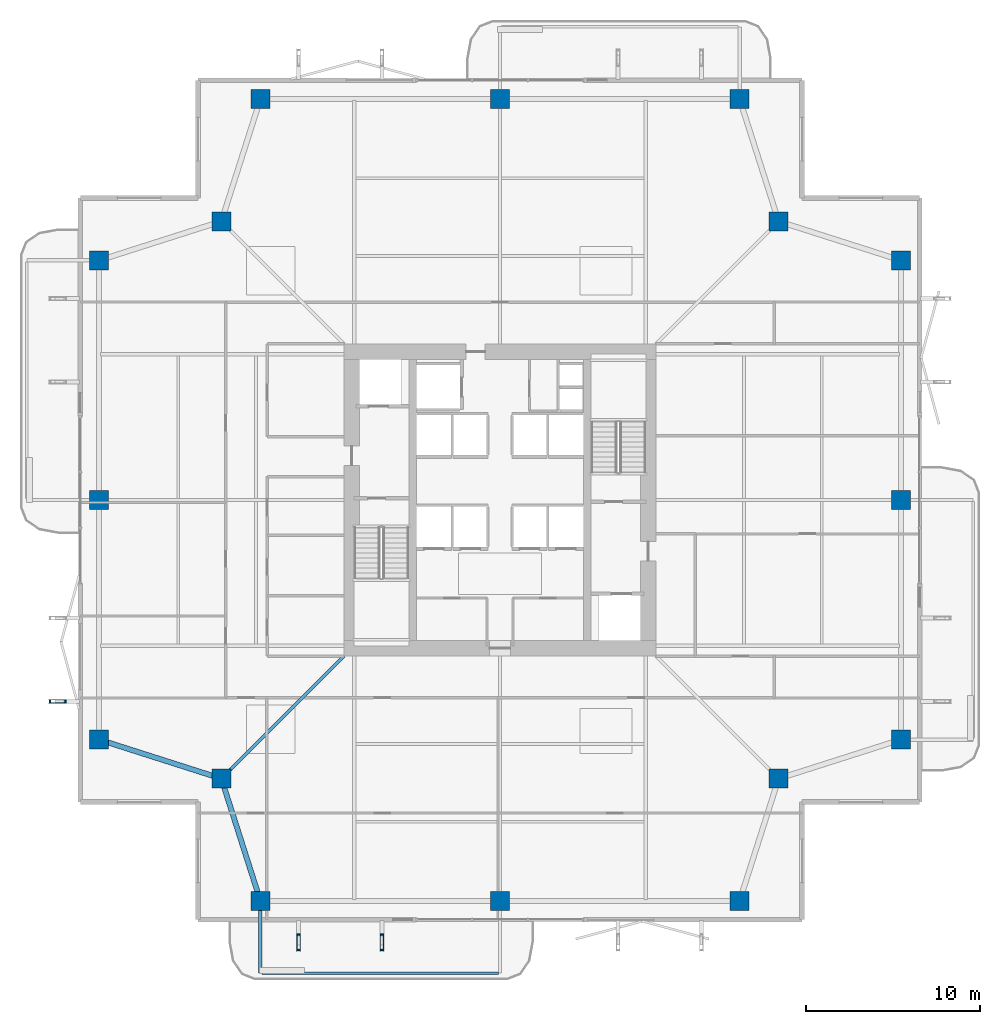
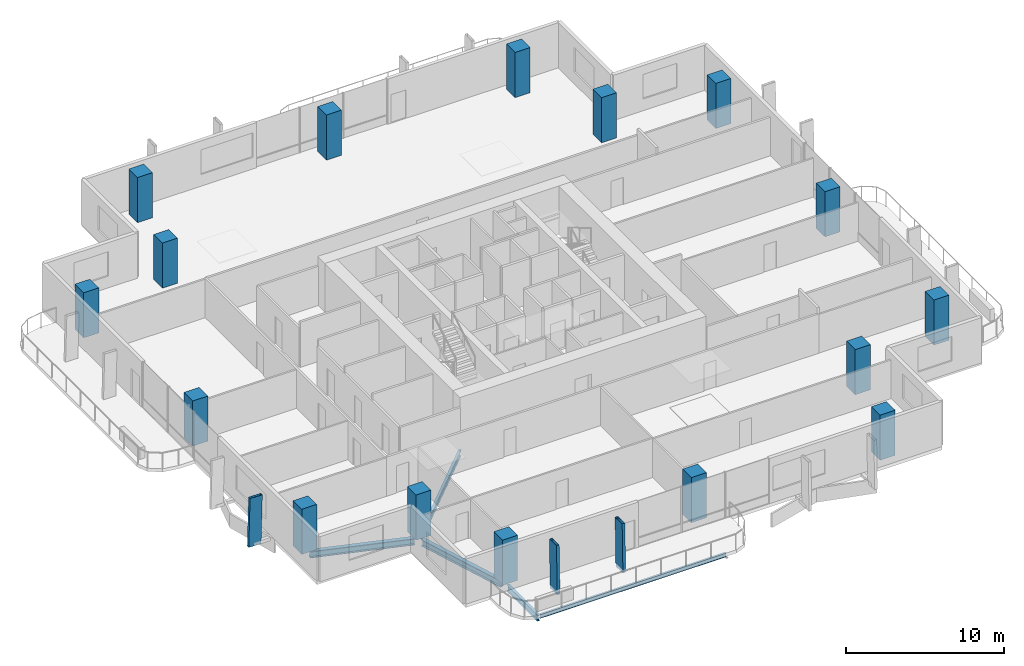
# One storey, part 1 of 25: 16 columns, 5 beams, 3 members.
"""IFC4 building model written with IfcOpenShell, lengths in metres."""

from ifc_helpers import new_model, si_unit, direction, frame, origin, origin_2d, place, context, subcontext, project, spatial, rectangle, hollow_rectangle, i_section, extrude, material, material_profile, profile_set, type_object, element, save


model = new_model("IFC4")

# Units and contexts
model_context = context("Model", 3, precision=1e-05, world=origin(), true_north=direction((0.0, 1.0)))
body_context = subcontext(model_context, "Body", "Model", "MODEL_VIEW")
ifc_project = project(units=[si_unit("LENGTHUNIT", "METRE"), si_unit("AREAUNIT", "SQUARE_METRE"), si_unit("VOLUMEUNIT", "CUBIC_METRE"), si_unit("PLANEANGLEUNIT", "RADIAN"), si_unit("MASSUNIT", "GRAM", prefix="KILO")], contexts=[model_context])

# Site, building, storey
site_placement = place(None, origin())
site = spatial("IfcSite", under=ifc_project, at=site_placement, CompositionType="ELEMENT")
building_placement = place(site_placement, origin())
building = spatial("IfcBuilding", under=site, at=building_placement, Name="Belovzor Exchange Tower", CompositionType="ELEMENT")
storey_placement = place(building_placement, frame((0.0, 0.0, 160.800048828125)))
storey = spatial("IfcBuildingStorey", under=building, at=storey_placement, Name="L39", CompositionType="ELEMENT", Elevation=160.800048828125)

# Columns
ifc_material_1 = material(Name="Concrete C50/60", Category="concrete")
ifc_material_profile_1 = material_profile(ifc_material_1, rectangle(XDim=1.10009765625, YDim=1.10009765625, at=origin_2d()))
ifc_profile_set_1 = profile_set([ifc_material_profile_1], Name="Concrete C50/60")
column_type = type_object("IfcColumnType", Name="Reinforced Concrete Tower Column 1100x1100", PredefinedType="COLUMN", material=ifc_profile_set_1)
for number, where, z_axis, x_axis, name in (
    (1, (15.0, 5.699951171875, 0.0029296875), (0.0, 0.0, 1.0), (1.0, 0.0, 0.0), "COL-T110 Reinforced Concrete Tower Column 1100x1100"),
    (2, (28.800048828125, 5.699951171875, 0.0029296875), (0.0, 0.0, 1.0), (1.0, 0.0, 0.0), "COL-T110 Reinforced Concrete Tower Column 1100x1100"),
    (3, (42.60009765625, 5.699951171875, 0.0029296875), (0.0, 0.0, 1.0), (1.0, 0.0, 0.0), "COL-T110 Reinforced Concrete Tower Column 1100x1100"),
    (4, (51.89990234375, 15.0, 0.0029296875), (0.0, 0.0, 1.0), (1.0, 0.0, 0.0), "COL-T110 Reinforced Concrete Tower Column 1100x1100"),
    (5, (51.89990234375, 28.800048828125, 0.0029296875), (0.0, 0.0, 1.0), (1.0, 0.0, 0.0), "COL-T110 Reinforced Concrete Tower Column 1100x1100"),
    (6, (51.89990234375, 42.60009765625, 0.0029296875), (0.0, 0.0, 1.0), (1.0, 0.0, 0.0), "COL-T110 Reinforced Concrete Tower Column 1100x1100"),
    (7, (42.60009765625, 51.89990234375, 0.0029296875), (0.0, 0.0, 1.0), (1.0, 0.0, 0.0), "COL-T110 Reinforced Concrete Tower Column 1100x1100"),
    (8, (28.800048828125, 51.89990234375, 0.0029296875), (0.0, 0.0, 1.0), (1.0, 0.0, 0.0), "COL-T110 Reinforced Concrete Tower Column 1100x1100"),
    (9, (15.0, 51.89990234375, 0.0029296875), (0.0, 0.0, 1.0), (1.0, 0.0, 0.0), "COL-T110 Reinforced Concrete Tower Column 1100x1100"),
    (10, (5.699951171875, 42.60009765625, 0.0029296875), (0.0, 0.0, 1.0), (1.0, 0.0, 0.0), "COL-T110 Reinforced Concrete Tower Column 1100x1100"),
    (11, (5.699951171875, 28.800048828125, 0.0029296875), (0.0, 0.0, 1.0), (1.0, 0.0, 0.0), "COL-T110 Reinforced Concrete Tower Column 1100x1100"),
    (12, (5.699951171875, 15.0, 0.0029296875), (0.0, 0.0, 1.0), (1.0, 0.0, 0.0), "COL-T110 Reinforced Concrete Tower Column 1100x1100"),
    (13, (12.75, 12.75, 0.0029296875), (0.0, 0.0, 1.0), (1.0, 0.0, 0.0), "COL-T110 Reinforced Concrete Tower Column 1100x1100"),
    (14, (44.85009765625, 12.75, 0.0029296875), (0.0, 0.0, 1.0), (1.0, 0.0, 0.0), "COL-T110 Reinforced Concrete Tower Column 1100x1100"),
    (15, (44.85009765625, 44.85009765625, 0.0029296875), (0.0, 0.0, 1.0), (1.0, 0.0, 0.0), "COL-T110 Reinforced Concrete Tower Column 1100x1100"),
    (16, (12.75, 44.85009765625, 0.0029296875), (0.0, 0.0, 1.0), (1.0, 0.0, 0.0), "COL-T110 Reinforced Concrete Tower Column 1100x1100"),
):
    element("IfcColumn", number, at=place(storey_placement, frame(where, z_axis=z_axis, x_axis=x_axis)), inside=storey, type_object=column_type, Name=name, PredefinedType="COLUMN", context=body_context, shape_type="SweptSolid", body=[
        extrude(rectangle(XDim=1.10009765625, YDim=1.10009765625, at=origin_2d()), origin(), (0.0, 0.0, 1.0), 3.489013671875),
    ])

# Beams
ifc_material_2 = material(Name="Steel S355", Category="steel")
ifc_material_profile_2 = material_profile(ifc_material_2, i_section(OverallWidth=0.199951171875, OverallDepth=0.5, WebThickness=0.01025390625, FlangeThickness=0.01611328125, at=origin_2d()))
ifc_profile_set_2 = profile_set([ifc_material_profile_2], Name="Steel S355")
beam_type_1 = type_object("IfcBeamType", Name="Planted Balcony Cantilever Beam IPE 500", PredefinedType="BEAM", material=ifc_profile_set_2)
beam_1_placement = place(storey_placement, frame((15.0, 5.39697265625, -0.505126953125), z_axis=(0.0, -1.0, 0.0), x_axis=(1.0, 0.0, 0.0)))
element("IfcBeam", 17, at=beam_1_placement, inside=storey, type_object=beam_type_1, Name="BC-500 Planted Balcony Cantilever Beam IPE 500", PredefinedType="BEAM", context=body_context, shape_type="SweptSolid", body=[
    extrude(i_section(OverallWidth=0.199951171875, OverallDepth=0.5, WebThickness=0.01025390625, FlangeThickness=0.01611328125, at=origin_2d()), origin(), (0.0, 0.0, 1.0), 3.849853515625),
])
ifc_material_3 = material(Name="Steel S355", Category="steel")
ifc_material_profile_3 = material_profile(ifc_material_3, i_section(OverallWidth=0.14990234375, OverallDepth=0.300048828125, WebThickness=0.007080078125, FlangeThickness=0.0107421875, at=origin_2d()))
ifc_profile_set_3 = profile_set([ifc_material_profile_3], Name="Steel S355")
beam_type_2 = type_object("IfcBeamType", Name="Planted Balcony Fascia Edge Beam IPE 300", PredefinedType="BEAM", material=ifc_profile_set_3)
beam_2_placement = place(storey_placement, frame((15.10009765625, 1.547119140625, -0.405029296875), z_axis=(1.0, 0.0, 0.0), x_axis=(0.0, 1.0, 0.0)))
element("IfcBeam", 18, at=beam_2_placement, inside=storey, type_object=beam_type_2, Name="BC-300 Planted Balcony Fascia Edge Beam IPE 300", PredefinedType="BEAM", context=body_context, shape_type="SweptSolid", body=[
    extrude(i_section(OverallWidth=0.14990234375, OverallDepth=0.300048828125, WebThickness=0.007080078125, FlangeThickness=0.0107421875, at=origin_2d()), origin(), (0.0, 0.0, 1.0), 13.599853515625),
])

# Members
ifc_material_4 = material(Name="Extruded Architectural Terracotta on Steel S355 Carrier", Category="masonry")
ifc_material_profile_4 = material_profile(ifc_material_4, hollow_rectangle(XDim=0.199951171875, YDim=0.89990234375, WallThickness=0.011962890625, at=origin_2d()))
ifc_profile_set_4 = profile_set([ifc_material_profile_4], Name="Extruded Architectural Terracotta on Steel S355 Carrier")
member_type = type_object("IfcMemberType", Name="Sweeping Terracotta Baguette Fin Assembly 1250", PredefinedType="USERDEFINED", material=ifc_profile_set_4)
for number, where, z_axis, x_axis, name in (
    (19, (17.199951171875, 3.259033203125, -0.255126953125), (0.0, 0.025057234181, 0.999686018215), (-1.0, 0.0, 0.0), "FIN-TC125 Terracotta Facade Fin L39 S1"),
    (20, (3.259033203125, 17.199951171875, -0.255126953125), (0.025057234181, 0.0, 0.999686018215), (0.0, 1.0, 0.0), "FIN-TC125 Terracotta Facade Fin L39 W1"),
    (21, (22.0, 3.259033203125, -0.255126953125), (0.0, 0.025057234181, 0.999686018215), (-1.0, 0.0, 0.0), "FIN-TC125 Terracotta Facade Fin L39 S2"),
):
    element("IfcMember", number, at=place(storey_placement, frame(where, z_axis=z_axis, x_axis=x_axis)), inside=storey, type_object=member_type, Name=name, ObjectType="FIN", PredefinedType="USERDEFINED", context=body_context, shape_type="SweptSolid", body=[
        extrude(hollow_rectangle(XDim=0.199951171875, YDim=0.89990234375, WallThickness=0.011962890625, at=origin_2d()), origin(), (0.0, 0.0, 1.0), 3.751220703125),
    ])

# Beams
ifc_material_5 = material(Name="Steel S355", Category="steel")
ifc_material_profile_5 = material_profile(ifc_material_5, i_section(OverallWidth=0.18994140625, OverallDepth=0.449951171875, WebThickness=0.009521484375, FlangeThickness=0.0146484375, at=origin_2d()))
ifc_profile_set_5 = profile_set([ifc_material_profile_5], Name="Steel S355")
beam_type_3 = type_object("IfcBeamType", Name="Zone 2-4 Radial Composite Floor Beam IPE 450", PredefinedType="BEAM", material=ifc_profile_set_5)
beam_3_placement = place(storey_placement, frame((19.800048828125, 19.800048828125, -0.47998046875), z_axis=(-0.707106781187, -0.707106781187, 0.0), x_axis=(0.707106781187, -0.707106781187, 0.0)))
element("IfcBeam", 22, at=beam_3_placement, inside=storey, type_object=beam_type_3, Name="FB-450 Zone 2-4 Radial Composite Floor Beam IPE 450", PredefinedType="BEAM", context=body_context, shape_type="SweptSolid", body=[
    extrude(i_section(OverallWidth=0.18994140625, OverallDepth=0.449951171875, WebThickness=0.009521484375, FlangeThickness=0.0146484375, at=origin_2d()), origin(), (0.0, 0.0, 1.0), 9.58154296875),
])
ifc_material_6 = material(Name="Steel S355", Category="steel")
ifc_material_profile_6 = material_profile(ifc_material_6, i_section(OverallWidth=0.300048828125, OverallDepth=0.5, WebThickness=0.014404296875, FlangeThickness=0.028076171875, at=origin_2d()))
ifc_profile_set_6 = profile_set([ifc_material_profile_6], Name="Steel S355")
beam_type_4 = type_object("IfcBeamType", Name="Zone 3 Waist Primary Girder HEB 500", PredefinedType="BEAM", material=ifc_profile_set_6)
for number, where, z_axis, x_axis, name in (
    (23, (12.842041015625, 12.4619140625, -0.505126953125), (0.304011730457, -0.952668288411, 0.0), (0.952668288411, 0.304011730457, 0.0), "FG-Z3 Zone 3 Waist Primary Girder HEB 500"),
    (24, (5.988037109375, 14.907958984375, -0.505126953125), (0.952668288411, -0.304011730457, 0.0), (0.304011730457, 0.952668288411, 0.0), "FG-Z3 Zone 3 Waist Primary Girder HEB 500"),
):
    element("IfcBeam", number, at=place(storey_placement, frame(where, z_axis=z_axis, x_axis=x_axis)), inside=storey, type_object=beam_type_4, Name=name, PredefinedType="BEAM", context=body_context, shape_type="SweptSolid", body=[
        extrude(i_section(OverallWidth=0.300048828125, OverallDepth=0.5, WebThickness=0.014404296875, FlangeThickness=0.028076171875, at=origin_2d()), origin(), (0.0, 0.0, 1.0), 6.79541015625),
    ])

save(model, "model.ifc")
